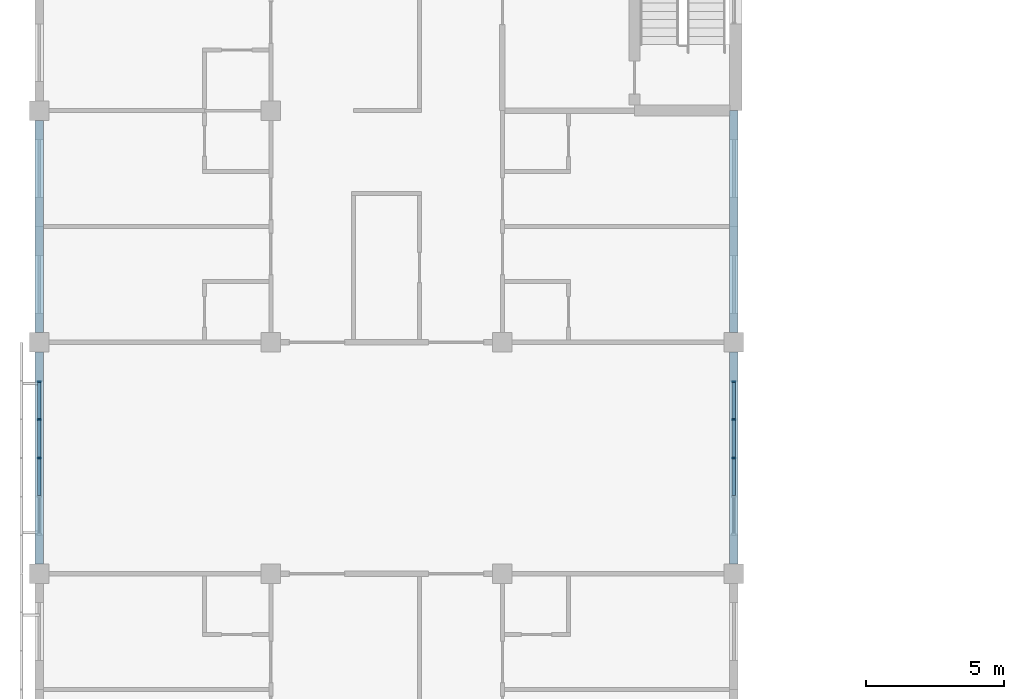
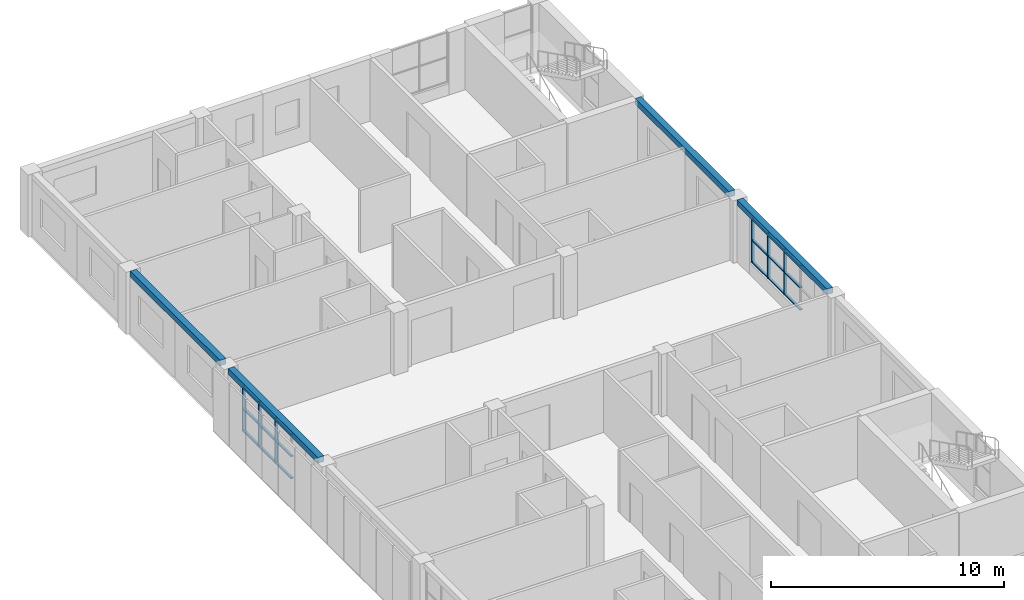
# One storey, part 14 of 46: 24 members, 4 beams, 2 elements without a shape of their own.
"""IFC4 building model written with IfcOpenShell, lengths in metres."""

from ifc_helpers import new_model, si_unit, direction, frame, origin, origin_2d, place, context, subcontext, project, spatial, rectangle, extrude, material, material_profile, profile_set, type_object, element, aggregate, save


model = new_model("IFC4")

# Units and contexts
model_context = context("Model", 3, precision=1e-05, world=origin(), true_north=direction((0.0, 1.0)))
body_context = subcontext(model_context, "Body", "Model", "MODEL_VIEW")
ifc_project = project(units=[si_unit("LENGTHUNIT", "METRE"), si_unit("AREAUNIT", "SQUARE_METRE"), si_unit("VOLUMEUNIT", "CUBIC_METRE"), si_unit("PLANEANGLEUNIT", "RADIAN"), si_unit("MASSUNIT", "GRAM", prefix="KILO")], contexts=[model_context])

# Site, building, storey
site_placement = place(None, origin())
site = spatial("IfcSite", under=ifc_project, at=site_placement, CompositionType="ELEMENT")
building_placement = place(site_placement, origin())
building = spatial("IfcBuilding", under=site, at=building_placement, Name="Yavir Park General Hospital", CompositionType="ELEMENT")
storey_placement = place(building_placement, frame((0.0, 0.0, 18.89990234375)))
storey = spatial("IfcBuildingStorey", under=building, at=storey_placement, Name="L04", CompositionType="ELEMENT", Elevation=18.89990234375)

# Curtain wall, members
ifc_material_1 = material(Name="Aluminium curtain wall frame with insulated glazing", Category="aluminium")
curtain_wall_type = type_object("IfcCurtainWallType", Name="Day room pocket glazing, ward floors, 2360 high, 1400 module", PredefinedType="NOTDEFINED", material=ifc_material_1)
curtain_wall_1_placement = place(storey_placement, origin())
curtain_wall_1 = element("IfcCurtainWall", 1, at=curtain_wall_1_placement, inside=storey, type_object=curtain_wall_type, Name="CW6 L04-020", PredefinedType="NOTDEFINED")
ifc_material_2 = material(Name="Aluminium", Category="aluminium")
ifc_material_profile_1 = material_profile(ifc_material_2, rectangle(XDim=0.139892578125, YDim=0.06005859375, at=origin_2d()), Name="AL 60x140")
ifc_profile_set_1 = profile_set([ifc_material_profile_1], Name="Aluminium")
member_type_1 = type_object("IfcMemberType", Name="Day room pocket glazing, ward floors, 2360 high mullion 60 x 140", PredefinedType="MULLION", material=ifc_profile_set_1)
member_1_placement = place(storey_placement, frame((0.0, 96.60009765625, 0.60009765625), z_axis=(0.0, 0.0, 1.0), x_axis=(-1.0, 0.0, 0.0)))
member_1 = element("IfcMember", 2, at=member_1_placement, type_object=member_type_1, Name="CW6 mullion 3", PredefinedType="MULLION", context=body_context, shape_type="SweptSolid", body=[
    extrude(rectangle(XDim=0.139892578125, YDim=0.06005859375, at=origin_2d()), origin(), (0.0, 0.0, 1.0), 2.360107421875),
])
member_2_placement = place(storey_placement, frame((0.0, 98.0, 0.60009765625), z_axis=(0.0, 0.0, 1.0), x_axis=(-1.0, 0.0, 0.0)))
member_2 = element("IfcMember", 3, at=member_2_placement, type_object=member_type_1, Name="CW6 mullion 4", PredefinedType="MULLION", context=body_context, shape_type="SweptSolid", body=[
    extrude(rectangle(XDim=0.139892578125, YDim=0.06005859375, at=origin_2d()), origin(), (0.0, 0.0, 1.0), 2.360107421875),
])
member_3_placement = place(storey_placement, frame((0.0, 99.3701171875, 0.60009765625), z_axis=(0.0, 0.0, 1.0), x_axis=(-1.0, 0.0, 0.0)))
member_3 = element("IfcMember", 4, at=member_3_placement, type_object=member_type_1, Name="CW6 mullion 5", PredefinedType="MULLION", context=body_context, shape_type="SweptSolid", body=[
    extrude(rectangle(XDim=0.139892578125, YDim=0.06005859375, at=origin_2d()), origin(), (0.0, 0.0, 1.0), 2.360107421875),
])

curtain_wall_2_placement = place(storey_placement, origin())
curtain_wall_2 = element("IfcCurtainWall", 5, at=curtain_wall_2_placement, inside=storey, type_object=curtain_wall_type, Name="CW6 L04-025", PredefinedType="NOTDEFINED")
member_4_placement = place(storey_placement, frame((25.199951171875, 96.60009765625, 0.60009765625), z_axis=(0.0, 0.0, 1.0), x_axis=(-1.0, 0.0, 0.0)))
member_4 = element("IfcMember", 6, at=member_4_placement, type_object=member_type_1, Name="CW6 mullion 3", PredefinedType="MULLION", context=body_context, shape_type="SweptSolid", body=[
    extrude(rectangle(XDim=0.139892578125, YDim=0.06005859375, at=origin_2d()), origin(), (0.0, 0.0, 1.0), 2.360107421875),
])
member_5_placement = place(storey_placement, frame((25.199951171875, 98.0, 0.60009765625), z_axis=(0.0, 0.0, 1.0), x_axis=(-1.0, 0.0, 0.0)))
member_5 = element("IfcMember", 7, at=member_5_placement, type_object=member_type_1, Name="CW6 mullion 4", PredefinedType="MULLION", context=body_context, shape_type="SweptSolid", body=[
    extrude(rectangle(XDim=0.139892578125, YDim=0.06005859375, at=origin_2d()), origin(), (0.0, 0.0, 1.0), 2.360107421875),
])
member_6_placement = place(storey_placement, frame((25.199951171875, 99.3701171875, 0.60009765625), z_axis=(0.0, 0.0, 1.0), x_axis=(-1.0, 0.0, 0.0)))
member_6 = element("IfcMember", 8, at=member_6_placement, type_object=member_type_1, Name="CW6 mullion 5", PredefinedType="MULLION", context=body_context, shape_type="SweptSolid", body=[
    extrude(rectangle(XDim=0.139892578125, YDim=0.06005859375, at=origin_2d()), origin(), (0.0, 0.0, 1.0), 2.360107421875),
])

# Member
ifc_material_3 = material(Name="Aluminium", Category="aluminium")
ifc_material_profile_2 = material_profile(ifc_material_3, rectangle(XDim=0.1201171875, YDim=0.06005859375, at=origin_2d()), Name="AL 120x60")
ifc_profile_set_2 = profile_set([ifc_material_profile_2], Name="Aluminium")
member_type_2 = type_object("IfcMemberType", Name="Day room pocket glazing, ward floors, 2360 high transom 60 x 120", PredefinedType="MULLION", material=ifc_profile_set_2)
member_7_placement = place(storey_placement, frame((0.0, 95.22998046875, 0.630126953125), z_axis=(0.0, 1.0, 0.0), x_axis=(-1.0, 0.0, 0.0)))
member_7 = element("IfcMember", 9, at=member_7_placement, type_object=member_type_2, Name="CW6 transom 2.1", PredefinedType="MULLION", context=body_context, shape_type="SweptSolid", body=[
    extrude(rectangle(XDim=0.1201171875, YDim=0.06005859375, at=origin_2d()), origin(), (0.0, 0.0, 1.0), 1.340087890625),
])

member_8_placement = place(storey_placement, frame((0.0, 95.22998046875, 1.780029296875), z_axis=(0.0, 1.0, 0.0), x_axis=(-1.0, 0.0, 0.0)))
member_8 = element("IfcMember", 10, at=member_8_placement, type_object=member_type_2, Name="CW6 transom 2.2", PredefinedType="MULLION", context=body_context, shape_type="SweptSolid", body=[
    extrude(rectangle(XDim=0.1201171875, YDim=0.06005859375, at=origin_2d()), origin(), (0.0, 0.0, 1.0), 1.340087890625),
])

member_9_placement = place(storey_placement, frame((0.0, 95.22998046875, 2.93017578125), z_axis=(0.0, 1.0, 0.0), x_axis=(-1.0, 0.0, 0.0)))
member_9 = element("IfcMember", 11, at=member_9_placement, type_object=member_type_2, Name="CW6 transom 2.3", PredefinedType="MULLION", context=body_context, shape_type="SweptSolid", body=[
    extrude(rectangle(XDim=0.1201171875, YDim=0.06005859375, at=origin_2d()), origin(), (0.0, 0.0, 1.0), 1.340087890625),
])

member_10_placement = place(storey_placement, frame((0.0, 96.6298828125, 0.630126953125), z_axis=(0.0, 1.0, 0.0), x_axis=(-1.0, 0.0, 0.0)))
member_10 = element("IfcMember", 12, at=member_10_placement, type_object=member_type_2, Name="CW6 transom 3.1", PredefinedType="MULLION", context=body_context, shape_type="SweptSolid", body=[
    extrude(rectangle(XDim=0.1201171875, YDim=0.06005859375, at=origin_2d()), origin(), (0.0, 0.0, 1.0), 1.340087890625),
])

member_11_placement = place(storey_placement, frame((0.0, 96.6298828125, 1.780029296875), z_axis=(0.0, 1.0, 0.0), x_axis=(-1.0, 0.0, 0.0)))
member_11 = element("IfcMember", 13, at=member_11_placement, type_object=member_type_2, Name="CW6 transom 3.2", PredefinedType="MULLION", context=body_context, shape_type="SweptSolid", body=[
    extrude(rectangle(XDim=0.1201171875, YDim=0.06005859375, at=origin_2d()), origin(), (0.0, 0.0, 1.0), 1.340087890625),
])

member_12_placement = place(storey_placement, frame((0.0, 96.6298828125, 2.93017578125), z_axis=(0.0, 1.0, 0.0), x_axis=(-1.0, 0.0, 0.0)))
member_12 = element("IfcMember", 14, at=member_12_placement, type_object=member_type_2, Name="CW6 transom 3.3", PredefinedType="MULLION", context=body_context, shape_type="SweptSolid", body=[
    extrude(rectangle(XDim=0.1201171875, YDim=0.06005859375, at=origin_2d()), origin(), (0.0, 0.0, 1.0), 1.340087890625),
])

member_13_placement = place(storey_placement, frame((0.0, 98.030029296875, 0.630126953125), z_axis=(0.0, 1.0, 0.0), x_axis=(-1.0, 0.0, 0.0)))
member_13 = element("IfcMember", 15, at=member_13_placement, type_object=member_type_2, Name="CW6 transom 4.1", PredefinedType="MULLION", context=body_context, shape_type="SweptSolid", body=[
    extrude(rectangle(XDim=0.1201171875, YDim=0.06005859375, at=origin_2d()), origin(), (0.0, 0.0, 1.0), 1.31005859375),
])

member_14_placement = place(storey_placement, frame((0.0, 98.030029296875, 1.780029296875), z_axis=(0.0, 1.0, 0.0), x_axis=(-1.0, 0.0, 0.0)))
member_14 = element("IfcMember", 16, at=member_14_placement, type_object=member_type_2, Name="CW6 transom 4.2", PredefinedType="MULLION", context=body_context, shape_type="SweptSolid", body=[
    extrude(rectangle(XDim=0.1201171875, YDim=0.06005859375, at=origin_2d()), origin(), (0.0, 0.0, 1.0), 1.31005859375),
])

member_15_placement = place(storey_placement, frame((0.0, 98.030029296875, 2.93017578125), z_axis=(0.0, 1.0, 0.0), x_axis=(-1.0, 0.0, 0.0)))
member_15 = element("IfcMember", 17, at=member_15_placement, type_object=member_type_2, Name="CW6 transom 4.3", PredefinedType="MULLION", context=body_context, shape_type="SweptSolid", body=[
    extrude(rectangle(XDim=0.1201171875, YDim=0.06005859375, at=origin_2d()), origin(), (0.0, 0.0, 1.0), 1.31005859375),
])

aggregate(curtain_wall_1, [member_1, member_2, member_3, member_7, member_8, member_9, member_10, member_11, member_12, member_13, member_14, member_15])

member_16_placement = place(storey_placement, frame((25.199951171875, 95.22998046875, 0.630126953125), z_axis=(0.0, 1.0, 0.0), x_axis=(-1.0, 0.0, 0.0)))
member_16 = element("IfcMember", 18, at=member_16_placement, type_object=member_type_2, Name="CW6 transom 2.1", PredefinedType="MULLION", context=body_context, shape_type="SweptSolid", body=[
    extrude(rectangle(XDim=0.1201171875, YDim=0.06005859375, at=origin_2d()), origin(), (0.0, 0.0, 1.0), 1.340087890625),
])

member_17_placement = place(storey_placement, frame((25.199951171875, 95.22998046875, 1.780029296875), z_axis=(0.0, 1.0, 0.0), x_axis=(-1.0, 0.0, 0.0)))
member_17 = element("IfcMember", 19, at=member_17_placement, type_object=member_type_2, Name="CW6 transom 2.2", PredefinedType="MULLION", context=body_context, shape_type="SweptSolid", body=[
    extrude(rectangle(XDim=0.1201171875, YDim=0.06005859375, at=origin_2d()), origin(), (0.0, 0.0, 1.0), 1.340087890625),
])

member_18_placement = place(storey_placement, frame((25.199951171875, 95.22998046875, 2.93017578125), z_axis=(0.0, 1.0, 0.0), x_axis=(-1.0, 0.0, 0.0)))
member_18 = element("IfcMember", 20, at=member_18_placement, type_object=member_type_2, Name="CW6 transom 2.3", PredefinedType="MULLION", context=body_context, shape_type="SweptSolid", body=[
    extrude(rectangle(XDim=0.1201171875, YDim=0.06005859375, at=origin_2d()), origin(), (0.0, 0.0, 1.0), 1.340087890625),
])

member_19_placement = place(storey_placement, frame((25.199951171875, 96.6298828125, 0.630126953125), z_axis=(0.0, 1.0, 0.0), x_axis=(-1.0, 0.0, 0.0)))
member_19 = element("IfcMember", 21, at=member_19_placement, type_object=member_type_2, Name="CW6 transom 3.1", PredefinedType="MULLION", context=body_context, shape_type="SweptSolid", body=[
    extrude(rectangle(XDim=0.1201171875, YDim=0.06005859375, at=origin_2d()), origin(), (0.0, 0.0, 1.0), 1.340087890625),
])

member_20_placement = place(storey_placement, frame((25.199951171875, 96.6298828125, 1.780029296875), z_axis=(0.0, 1.0, 0.0), x_axis=(-1.0, 0.0, 0.0)))
member_20 = element("IfcMember", 22, at=member_20_placement, type_object=member_type_2, Name="CW6 transom 3.2", PredefinedType="MULLION", context=body_context, shape_type="SweptSolid", body=[
    extrude(rectangle(XDim=0.1201171875, YDim=0.06005859375, at=origin_2d()), origin(), (0.0, 0.0, 1.0), 1.340087890625),
])

member_21_placement = place(storey_placement, frame((25.199951171875, 96.6298828125, 2.93017578125), z_axis=(0.0, 1.0, 0.0), x_axis=(-1.0, 0.0, 0.0)))
member_21 = element("IfcMember", 23, at=member_21_placement, type_object=member_type_2, Name="CW6 transom 3.3", PredefinedType="MULLION", context=body_context, shape_type="SweptSolid", body=[
    extrude(rectangle(XDim=0.1201171875, YDim=0.06005859375, at=origin_2d()), origin(), (0.0, 0.0, 1.0), 1.340087890625),
])

member_22_placement = place(storey_placement, frame((25.199951171875, 98.030029296875, 0.630126953125), z_axis=(0.0, 1.0, 0.0), x_axis=(-1.0, 0.0, 0.0)))
member_22 = element("IfcMember", 24, at=member_22_placement, type_object=member_type_2, Name="CW6 transom 4.1", PredefinedType="MULLION", context=body_context, shape_type="SweptSolid", body=[
    extrude(rectangle(XDim=0.1201171875, YDim=0.06005859375, at=origin_2d()), origin(), (0.0, 0.0, 1.0), 1.31005859375),
])

member_23_placement = place(storey_placement, frame((25.199951171875, 98.030029296875, 1.780029296875), z_axis=(0.0, 1.0, 0.0), x_axis=(-1.0, 0.0, 0.0)))
member_23 = element("IfcMember", 25, at=member_23_placement, type_object=member_type_2, Name="CW6 transom 4.2", PredefinedType="MULLION", context=body_context, shape_type="SweptSolid", body=[
    extrude(rectangle(XDim=0.1201171875, YDim=0.06005859375, at=origin_2d()), origin(), (0.0, 0.0, 1.0), 1.31005859375),
])

member_24_placement = place(storey_placement, frame((25.199951171875, 98.030029296875, 2.93017578125), z_axis=(0.0, 1.0, 0.0), x_axis=(-1.0, 0.0, 0.0)))
member_24 = element("IfcMember", 26, at=member_24_placement, type_object=member_type_2, Name="CW6 transom 4.3", PredefinedType="MULLION", context=body_context, shape_type="SweptSolid", body=[
    extrude(rectangle(XDim=0.1201171875, YDim=0.06005859375, at=origin_2d()), origin(), (0.0, 0.0, 1.0), 1.31005859375),
])

aggregate(curtain_wall_2, [member_4, member_5, member_6, member_16, member_17, member_18, member_19, member_20, member_21, member_22, member_23, member_24])

# Beams
ifc_material_4 = material(Name="Concrete C35/45", Category="concrete")
ifc_material_profile_3 = material_profile(ifc_material_4, rectangle(XDim=0.300048828125, YDim=0.300048828125, at=origin_2d()), Name="RC300x300")
ifc_profile_set_3 = profile_set([ifc_material_profile_3], Name="Concrete C35/45")
beam_type = type_object("IfcBeamType", Name="RC BEAM 300x300 edge beam", PredefinedType="BEAM", material=ifc_profile_set_3)
beam_1_placement = place(storey_placement, frame((0.0, 92.75, 3.110107421875), z_axis=(0.0, 1.0, 0.0), x_axis=(-1.0, 0.0, 0.0)))
element("IfcBeam", 27, at=beam_1_placement, inside=storey, type_object=beam_type, Name="B:EDGE:L04:025", PredefinedType="BEAM", context=body_context, shape_type="SweptSolid", body=[
    extrude(rectangle(XDim=0.300048828125, YDim=0.300048828125, at=origin_2d()), origin(), (0.0, 0.0, 1.0), 7.699951171875),
])
beam_2_placement = place(storey_placement, frame((0.0, 101.14990234375, 3.110107421875), z_axis=(0.0, 1.0, 0.0), x_axis=(-1.0, 0.0, 0.0)))
element("IfcBeam", 28, at=beam_2_placement, inside=storey, type_object=beam_type, Name="B:EDGE:L04:026", PredefinedType="BEAM", context=body_context, shape_type="SweptSolid", body=[
    extrude(rectangle(XDim=0.300048828125, YDim=0.300048828125, at=origin_2d()), origin(), (0.0, 0.0, 1.0), 7.7001953125),
])
beam_3_placement = place(storey_placement, frame((25.199951171875, 92.75, 3.110107421875), z_axis=(0.0, 1.0, 0.0), x_axis=(-1.0, 0.0, 0.0)))
element("IfcBeam", 29, at=beam_3_placement, inside=storey, type_object=beam_type, Name="B:EDGE:L04:033", PredefinedType="BEAM", context=body_context, shape_type="SweptSolid", body=[
    extrude(rectangle(XDim=0.300048828125, YDim=0.300048828125, at=origin_2d()), origin(), (0.0, 0.0, 1.0), 7.699951171875),
])
beam_4_placement = place(storey_placement, frame((25.199951171875, 101.14990234375, 3.110107421875), z_axis=(0.0, 1.0, 0.0), x_axis=(-1.0, 0.0, 0.0)))
element("IfcBeam", 30, at=beam_4_placement, inside=storey, type_object=beam_type, Name="B:EDGE:L04:034", PredefinedType="BEAM", context=body_context, shape_type="SweptSolid", body=[
    extrude(rectangle(XDim=0.300048828125, YDim=0.300048828125, at=origin_2d()), origin(), (0.0, 0.0, 1.0), 8.050048828125),
])

save(model, "model.ifc")
